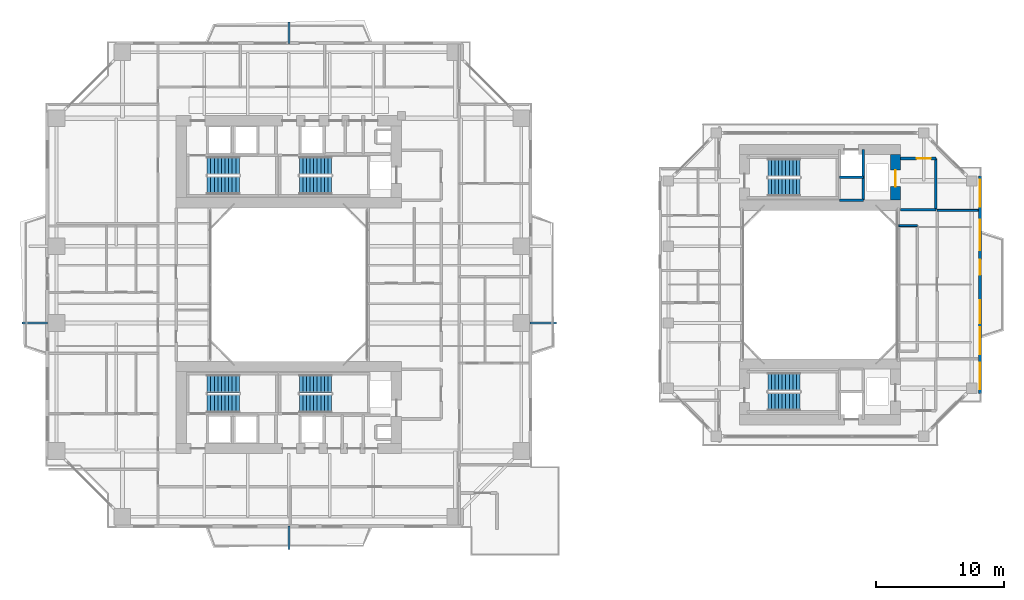
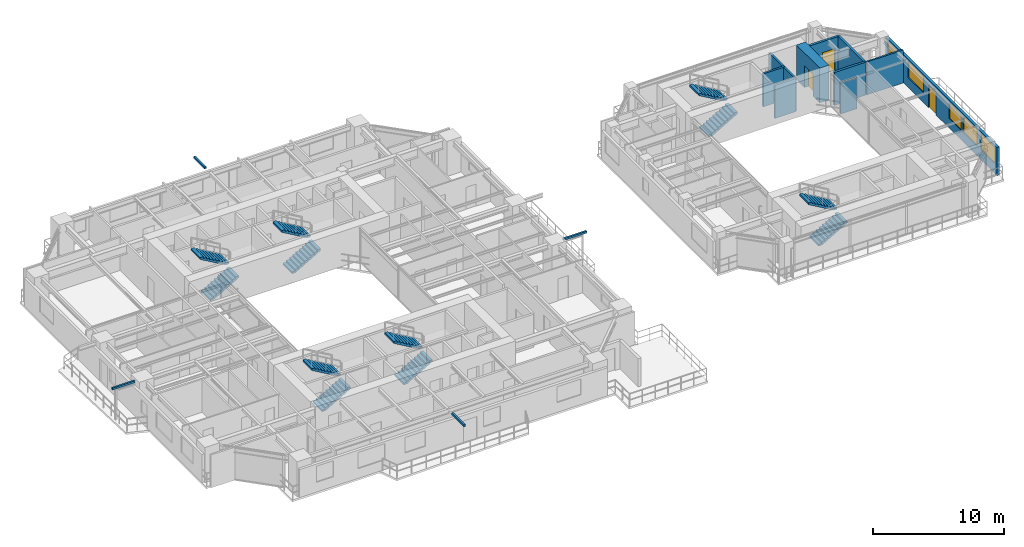
# One storey, part 19 of 23: 12 stair flights, 10 walls, 5 windows, 4 discrete accessories, 3 doors, 8 openings, 6 elements without a shape of their own.
"""IFC4 building model written with IfcOpenShell, lengths in metres."""

from ifc_helpers import new_model, si_unit, direction, frame, frame_2d, origin, origin_2d, place, context, subcontext, project, spatial, polyline, rectangle, outline, extrude, source, transform, mapped, material, layer, layer_set, type_object, element, fill, aggregate, save


model = new_model("IFC4")

# Units and contexts
model_context = context("Model", 3, precision=1e-05, world=origin(), true_north=direction((0.0, 1.0)))
body_context = subcontext(model_context, "Body", "Model", "MODEL_VIEW")
ifc_project = project(units=[si_unit("LENGTHUNIT", "METRE"), si_unit("AREAUNIT", "SQUARE_METRE"), si_unit("VOLUMEUNIT", "CUBIC_METRE"), si_unit("PLANEANGLEUNIT", "RADIAN"), si_unit("MASSUNIT", "GRAM", prefix="KILO"), si_unit("THERMODYNAMICTEMPERATUREUNIT", "KELVIN"), si_unit("POWERUNIT", "WATT")], contexts=[model_context])

# Site, building, storey
site_placement = place(None, origin())
site = spatial("IfcSite", under=ifc_project, at=site_placement, CompositionType="ELEMENT")
building_placement = place(site_placement, origin())
building = spatial("IfcBuilding", under=site, at=building_placement, Name="Qiaomeng Ring Towers", CompositionType="ELEMENT")
storey_placement = place(building_placement, frame((0.0, 0.0, 73.0)))
storey = spatial("IfcBuildingStorey", under=building, at=storey_placement, Name="L20", CompositionType="ELEMENT", Elevation=73.0)

# Wall, openings, windows, door
ifc_material_1 = material(Name="Precast concrete C40", Category="concrete")
ifc_layer_1 = layer(ifc_material_1, 0.219970703125, Name="Precast concrete C40")
ifc_layer_set_1 = layer_set([ifc_layer_1], Name="Precast concrete C40")
wall_type_1 = type_object("IfcWallType", Name="ARC-WL-EW2", PredefinedType="STANDARD", material=ifc_layer_set_1)
wall_1_placement = place(storey_placement, frame((72.989990234375, 14.5, 0.0), z_axis=(0.0, 0.0, 1.0), x_axis=(0.0, 1.0, 0.0)))
wall_1 = element("IfcWall", 1, at=wall_1_placement, inside=storey, type_object=wall_type_1, Name="L20 Companion East Wall", PredefinedType="STANDARD", context=body_context, shape_type="SweptSolid", body=[
    extrude(rectangle(XDim=17.0, YDim=0.219970703125, at=frame_2d((8.5, 0.0))), origin(), (0.0, 0.0, 1.0), 2.610107421875),
])
opening_1_placement = place(wall_1_placement, frame((9.25, 0.0, 0.0)))
opening_1 = element("IfcOpeningElement", 2, at=opening_1_placement, cuts=wall_1, Name="Opening BD1", PredefinedType="OPENING", context=body_context, shape_type="SweptSolid", body=[
    extrude(rectangle(XDim=1.199951171875, YDim=2.10009765625, at=frame_2d((0.60009765625, 1.050048828125))), frame((0.0, 0.119873046875, 0.0), z_axis=(0.0, -1.0, 0.0), x_axis=(1.0, 0.0, 0.0)), (0.0, 0.0, 1.0), 0.239990234375),
])
opening_2_placement = place(wall_1_placement, frame((0.3076171875, 0.0, 0.89990234375)))
opening_2 = element("IfcOpeningElement", 3, at=opening_2_placement, cuts=wall_1, Name="Opening WN4", PredefinedType="OPENING", context=body_context, shape_type="SweptSolid", body=[
    extrude(rectangle(XDim=2.10009765625, YDim=1.5, at=frame_2d((1.050048828125, 0.75))), frame((0.0, 0.119873046875, 0.0), z_axis=(0.0, -1.0, 0.0), x_axis=(1.0, 0.0, 0.0)), (0.0, 0.0, 1.0), 0.239990234375),
])
opening_3_placement = place(wall_1_placement, frame((5.47509765625, 0.0, 0.89990234375)))
opening_3 = element("IfcOpeningElement", 4, at=opening_3_placement, cuts=wall_1, Name="Opening WN1", PredefinedType="OPENING", context=body_context, shape_type="SweptSolid", body=[
    extrude(rectangle(XDim=1.800048828125, YDim=1.449951171875, at=frame_2d((0.89990234375, 0.72509765625))), frame((0.0, 0.119873046875, 0.0), z_axis=(0.0, -1.0, 0.0), x_axis=(1.0, 0.0, 0.0)), (0.0, 0.0, 1.0), 0.239990234375),
])
opening_4_placement = place(wall_1_placement, frame((14.592529296875, 0.0, 0.89990234375)))
opening_4 = element("IfcOpeningElement", 5, at=opening_4_placement, cuts=wall_1, Name="Opening WN4", PredefinedType="OPENING", context=body_context, shape_type="SweptSolid", body=[
    extrude(rectangle(XDim=2.10009765625, YDim=1.5, at=frame_2d((1.050048828125, 0.75))), frame((0.0, 0.119873046875, 0.0), z_axis=(0.0, -1.0, 0.0), x_axis=(1.0, 0.0, 0.0)), (0.0, 0.0, 1.0), 0.239990234375),
])
opening_5_placement = place(wall_1_placement, frame((3.054931640625, 0.0, 0.89990234375)))
opening_5 = element("IfcOpeningElement", 6, at=opening_5_placement, cuts=wall_1, Name="Opening WN4", PredefinedType="OPENING", context=body_context, shape_type="SweptSolid", body=[
    extrude(rectangle(XDim=2.10009765625, YDim=1.5, at=frame_2d((1.050048828125, 0.75))), frame((0.0, 0.119873046875, 0.0), z_axis=(0.0, -1.0, 0.0), x_axis=(1.0, 0.0, 0.0)), (0.0, 0.0, 1.0), 0.239990234375),
])
opening_6_placement = place(wall_1_placement, frame((11.16748046875, 0.0, 0.89990234375)))
opening_6 = element("IfcOpeningElement", 7, at=opening_6_placement, cuts=wall_1, Name="Opening WN6", PredefinedType="OPENING", context=body_context, shape_type="SweptSolid", body=[
    extrude(rectangle(XDim=2.39990234375, YDim=1.5, at=frame_2d((1.199951171875, 0.75))), frame((0.0, 0.119873046875, 0.0), z_axis=(0.0, -1.0, 0.0), x_axis=(1.0, 0.0, 0.0)), (0.0, 0.0, 1.0), 0.239990234375),
])
ifc_material_2 = material(Name="Low-E dark-grey laminated double glazing", Category="glass")
window_type_1 = type_object("IfcWindowType", Name="ARC-WN-4", PartitioningType="TRIPLE_PANEL_VERTICAL", PredefinedType="WINDOW", material=ifc_material_2)
shared_shape_1 = source(origin(), body_context, "Body", "SweptSolid", [
    extrude(rectangle(XDim=2.10009765625, YDim=1.5, at=frame_2d((1.050048828125, 0.75))), frame((0.0, 0.030029296875, 0.0), z_axis=(0.0, -1.0, 0.0), x_axis=(1.0, 0.0, 0.0)), (0.0, 0.0, 1.0), 0.06005859375),
])
window_1_placement = place(opening_2_placement, origin())
window_1 = element("IfcWindow", 8, at=window_1_placement, inside=storey, type_object=window_type_1, Name="L20 Exterior Window WN6", OverallHeight=1.5, OverallWidth=2.10009765625, PartitioningType="TRIPLE_PANEL_VERTICAL", PredefinedType="WINDOW", context=body_context, shape_type="MappedRepresentation", body=[
    mapped(shared_shape_1, transform((0.0, 0.0, 0.0), x_axis=(1.0, 0.0, 0.0), y_axis=(0.0, 1.0, 0.0), z_axis=(0.0, 0.0, 1.0), scale=1.0)),
])
fill(opening_2, window_1)
window_2_placement = place(opening_4_placement, origin())
window_2 = element("IfcWindow", 9, at=window_2_placement, inside=storey, type_object=window_type_1, Name="L20 Exterior Window WN4", OverallHeight=1.5, OverallWidth=2.10009765625, PartitioningType="TRIPLE_PANEL_VERTICAL", PredefinedType="WINDOW", context=body_context, shape_type="MappedRepresentation", body=[
    mapped(shared_shape_1, transform((0.0, 0.0, 0.0), x_axis=(1.0, 0.0, 0.0), y_axis=(0.0, 1.0, 0.0), z_axis=(0.0, 0.0, 1.0), scale=1.0)),
])
fill(opening_4, window_2)
window_3_placement = place(opening_5_placement, origin())
window_3 = element("IfcWindow", 10, at=window_3_placement, inside=storey, type_object=window_type_1, Name="L20 Exterior Window WN4", OverallHeight=1.5, OverallWidth=2.10009765625, PartitioningType="TRIPLE_PANEL_VERTICAL", PredefinedType="WINDOW", context=body_context, shape_type="MappedRepresentation", body=[
    mapped(shared_shape_1, transform((0.0, 0.0, 0.0), x_axis=(1.0, 0.0, 0.0), y_axis=(0.0, 1.0, 0.0), z_axis=(0.0, 0.0, 1.0), scale=1.0)),
])
fill(opening_5, window_3)
window_type_2 = type_object("IfcWindowType", Name="ARC-WN-1", PartitioningType="DOUBLE_PANEL_VERTICAL", PredefinedType="WINDOW", material=ifc_material_2)
shared_shape_2 = source(origin(), body_context, "Body", "SweptSolid", [
    extrude(rectangle(XDim=1.800048828125, YDim=1.449951171875, at=frame_2d((0.89990234375, 0.72509765625))), frame((0.0, 0.030029296875, 0.0), z_axis=(0.0, -1.0, 0.0), x_axis=(1.0, 0.0, 0.0)), (0.0, 0.0, 1.0), 0.06005859375),
])
window_4_placement = place(opening_3_placement, origin())
window_4 = element("IfcWindow", 11, at=window_4_placement, inside=storey, type_object=window_type_2, Name="L20 Exterior Window WN1", OverallHeight=1.449951171875, OverallWidth=1.800048828125, PartitioningType="DOUBLE_PANEL_VERTICAL", PredefinedType="WINDOW", context=body_context, shape_type="MappedRepresentation", body=[
    mapped(shared_shape_2, transform((0.0, 0.0, 0.0), x_axis=(1.0, 0.0, 0.0), y_axis=(0.0, 1.0, 0.0), z_axis=(0.0, 0.0, 1.0), scale=1.0)),
])
fill(opening_3, window_4)
door_type_1 = type_object("IfcDoorType", Name="ARC-DR-BD1", OperationType="NOTDEFINED", PredefinedType="DOOR", material=ifc_material_2)
shared_shape_3 = source(origin(), body_context, "Body", "SweptSolid", [
    extrude(rectangle(XDim=1.199951171875, YDim=2.10009765625, at=frame_2d((0.60009765625, 1.050048828125))), frame((0.0, 0.02490234375, 0.0), z_axis=(0.0, -1.0, 0.0), x_axis=(1.0, 0.0, 0.0)), (0.0, 0.0, 1.0), 0.050048828125),
])
door_1_placement = place(opening_1_placement, origin())
door_1 = element("IfcDoor", 12, at=door_1_placement, inside=storey, type_object=door_type_1, Name="L20 Companion East Balcony Door", OperationType="SINGLE_SWING_LEFT", OverallHeight=2.10009765625, OverallWidth=1.199951171875, PredefinedType="DOOR", context=body_context, shape_type="MappedRepresentation", body=[
    mapped(shared_shape_3, transform((0.0, 0.0, 0.0), x_axis=(1.0, 0.0, 0.0), y_axis=(0.0, 1.0, 0.0), z_axis=(0.0, 0.0, 1.0), scale=1.0)),
])
fill(opening_1, door_1)
window_type_3 = type_object("IfcWindowType", Name="ARC-WN-6", PartitioningType="TRIPLE_PANEL_VERTICAL", PredefinedType="WINDOW", material=ifc_material_2)
shared_shape_4 = source(origin(), body_context, "Body", "SweptSolid", [
    extrude(rectangle(XDim=2.39990234375, YDim=1.5, at=frame_2d((1.199951171875, 0.75))), frame((0.0, 0.030029296875, 0.0), z_axis=(0.0, -1.0, 0.0), x_axis=(1.0, 0.0, 0.0)), (0.0, 0.0, 1.0), 0.06005859375),
])
window_5_placement = place(opening_6_placement, origin())
window_5 = element("IfcWindow", 13, at=window_5_placement, inside=storey, type_object=window_type_3, Name="L20 Exterior Window WN6", OverallHeight=1.5, OverallWidth=2.39990234375, PartitioningType="TRIPLE_PANEL_VERTICAL", PredefinedType="WINDOW", context=body_context, shape_type="MappedRepresentation", body=[
    mapped(shared_shape_4, transform((0.0, 0.0, 0.0), x_axis=(1.0, 0.0, 0.0), y_axis=(0.0, 1.0, 0.0), z_axis=(0.0, 0.0, 1.0), scale=1.0)),
])
fill(opening_6, window_5)

# Walls
ifc_material_3 = material(Name="Autoclaved aerated concrete block", Category="concrete")
ifc_layer_2 = layer(ifc_material_3, 0.199951171875, Name="Autoclaved aerated concrete block")
ifc_layer_set_2 = layer_set([ifc_layer_2], Name="Autoclaved aerated concrete block")
wall_type_2 = type_object("IfcWallType", Name="ARC-WL-PW1", PredefinedType="PARTITIONING", material=ifc_layer_set_2)
wall_2_placement = place(storey_placement, frame((66.800048828125, 28.85009765625, 0.0), z_axis=(0.0, 0.0, 1.0), x_axis=(1.0, 0.0, 0.0)))
element("IfcWall", 14, at=wall_2_placement, inside=storey, type_object=wall_type_2, Name="L20 Interior Wall PW1", PredefinedType="PARTITIONING", context=body_context, shape_type="SweptSolid", body=[
    extrude(rectangle(XDim=2.75, YDim=0.199951171875, at=frame_2d((1.375, 0.0))), origin(), (0.0, 0.0, 1.0), 3.070068359375),
])
wall_3_placement = place(storey_placement, frame((69.550048828125, 28.85009765625, 0.0), z_axis=(0.0, 0.0, 1.0), x_axis=(0.0, 1.0, 0.0)))
element("IfcWall", 15, at=wall_3_placement, inside=storey, type_object=wall_type_2, Name="L20 Interior Wall PW1", PredefinedType="PARTITIONING", context=body_context, shape_type="SweptSolid", body=[
    extrude(rectangle(XDim=4.0, YDim=0.199951171875, at=frame_2d((2.0, 0.0))), origin(), (0.0, 0.0, 1.0), 3.070068359375),
])

# Wall, opening, door
wall_4_placement = place(storey_placement, frame((66.800048828125, 32.85009765625, 0.0), z_axis=(0.0, 0.0, 1.0), x_axis=(1.0, 0.0, 0.0)))
wall_4 = element("IfcWall", 16, at=wall_4_placement, inside=storey, type_object=wall_type_2, Name="L20 Interior Wall PW1", PredefinedType="PARTITIONING", context=body_context, shape_type="SweptSolid", body=[
    extrude(rectangle(XDim=2.75, YDim=0.199951171875, at=frame_2d((1.375, 0.0))), origin(), (0.0, 0.0, 1.0), 3.070068359375),
])
opening_7_placement = place(wall_4_placement, frame((1.25, 0.0, 0.0)))
opening_7 = element("IfcOpeningElement", 17, at=opening_7_placement, cuts=wall_4, Name="Opening FD3", PredefinedType="OPENING", context=body_context, shape_type="SweptSolid", body=[
    extrude(rectangle(XDim=1.10009765625, YDim=2.050048828125, at=frame_2d((0.550048828125, 1.02490234375))), frame((0.0, 0.10986328125, 0.0), z_axis=(0.0, -1.0, 0.0), x_axis=(1.0, 0.0, 0.0)), (0.0, 0.0, 1.0), 0.219970703125),
])
ifc_material_4 = material(Name="Galvanised steel", Category="steel")
door_type_2 = type_object("IfcDoorType", Name="ARC-DR-FD3", OperationType="NOTDEFINED", PredefinedType="DOOR", material=ifc_material_4)
shared_shape_5 = source(origin(), body_context, "Body", "SweptSolid", [
    extrude(rectangle(XDim=1.10009765625, YDim=2.050048828125, at=frame_2d((0.550048828125, 1.02490234375))), frame((0.0, 0.02490234375, 0.0), z_axis=(0.0, -1.0, 0.0), x_axis=(1.0, 0.0, 0.0)), (0.0, 0.0, 1.0), 0.050048828125),
])
door_2_placement = place(opening_7_placement, origin())
door_2 = element("IfcDoor", 18, at=door_2_placement, inside=storey, type_object=door_type_2, Name="L20 Door FD3", OperationType="SINGLE_SWING_LEFT", OverallHeight=2.050048828125, OverallWidth=1.10009765625, PredefinedType="DOOR", context=body_context, shape_type="MappedRepresentation", body=[
    mapped(shared_shape_5, transform((0.0, 0.0, 0.0), x_axis=(1.0, 0.0, 0.0), y_axis=(0.0, 1.0, 0.0), z_axis=(0.0, 0.0, 1.0), scale=1.0)),
])
fill(opening_7, door_2)

# Walls
ifc_material_5 = material(Name="Gypsum fireboard steel-stud partition", Category="steel")
ifc_layer_3 = layer(ifc_material_5, 0.14990234375, Name="Gypsum fireboard steel-stud partition")
ifc_layer_set_3 = layer_set([ifc_layer_3], Name="Gypsum fireboard steel-stud partition")
wall_type_3 = type_object("IfcWallType", Name="ARC-WL-PW3", PredefinedType="PARTITIONING", material=ifc_layer_set_3)
wall_5_placement = place(storey_placement, frame((69.64990234375, 28.800048828125, 0.0), z_axis=(0.0, 0.0, 1.0), x_axis=(1.0, 0.0, 0.0)))
element("IfcWall", 19, at=wall_5_placement, inside=storey, type_object=wall_type_3, Name="L20 Interior Wall PW3", PredefinedType="PARTITIONING", context=body_context, shape_type="SweptSolid", body=[
    extrude(rectangle(XDim=3.2001953125, YDim=0.14990234375, at=frame_2d((1.60009765625, 0.0))), origin(), (0.0, 0.0, 1.0), 3.070068359375),
])
wall_6_placement = place(storey_placement, frame((66.64990234375, 27.60009765625, 0.0), z_axis=(0.0, 0.0, 1.0), x_axis=(1.0, 0.0, 0.0)))
element("IfcWall", 20, at=wall_6_placement, inside=storey, type_object=wall_type_3, Name="L20 Interior Wall PW3", PredefinedType="PARTITIONING", context=body_context, shape_type="SweptSolid", body=[
    extrude(rectangle(XDim=1.4501953125, YDim=0.14990234375, at=frame_2d((0.72509765625, 0.0))), origin(), (0.0, 0.0, 1.0), 2.864990234375),
])
ifc_material_6 = material(Name="Concrete C40", Category="concrete")
ifc_layer_4 = layer(ifc_material_6, 0.199951171875, Name="Concrete C40")
ifc_layer_set_4 = layer_set([ifc_layer_4], Name="Concrete C40")
wall_type_4 = type_object("IfcWallType", Name="STR-WL-STSHAFT", PredefinedType="SHEAR", material=ifc_layer_set_4)
wall_7_placement = place(storey_placement, frame((63.8798828125, 29.60009765625, 0.0), z_axis=(0.0, 0.0, 1.0), x_axis=(0.0, 1.0, 0.0)))
element("IfcWall", 21, at=wall_7_placement, inside=storey, type_object=wall_type_4, Name="L20 Companion Lift Shaft East Wall N", PredefinedType="SHEAR", context=body_context, shape_type="SweptSolid", body=[
    extrude(rectangle(XDim=3.949951171875, YDim=0.179931640625, at=frame_2d((1.97509765625, 0.0))), origin(), (0.0, 0.0, 1.0), 3.070068359375),
])
for number, where, z_axis, x_axis, name in (
    (22, (62.02001953125, 31.3798828125, 0.0), (0.0, 0.0, 1.0), (1.0, 0.0, 0.0), "L20 Companion Lift Shaft Divider Wall N"),
    (23, (62.02001953125, 29.60009765625, 0.0), (0.0, 0.0, 1.0), (1.0, 0.0, 0.0), "L20 Companion Riser Shaft Back Wall N"),
):
    element("IfcWall", number, at=place(storey_placement, frame(where, z_axis=z_axis, x_axis=x_axis)), inside=storey, type_object=wall_type_4, Name=name, PredefinedType="SHEAR", context=body_context, shape_type="SweptSolid", body=[
        extrude(rectangle(XDim=1.85986328125, YDim=0.179931640625, at=frame_2d((0.929931640625, 0.0))), origin(), (0.0, 0.0, 1.0), 3.070068359375),
    ])

# Wall, opening, door
ifc_material_7 = material(Name="Concrete C60", Category="concrete")
ifc_layer_5 = layer(ifc_material_7, 0.800048828125, Name="Concrete C60")
ifc_layer_set_5 = layer_set([ifc_layer_5], Name="Concrete C60")
wall_type_5 = type_object("IfcWallType", Name="STR-WL-SW1", PredefinedType="SHEAR", material=ifc_layer_set_5)
wall_8_placement = place(storey_placement, frame((66.39990234375, 29.60009765625, 0.0), z_axis=(0.0, 0.0, 1.0), x_axis=(0.0, 1.0, 0.0)))
wall_8 = element("IfcWall", 24, at=wall_8_placement, inside=storey, type_object=wall_type_5, Name="L20 T2NC east core shear wall", PredefinedType="SHEAR", context=body_context, shape_type="SweptSolid", body=[
    extrude(rectangle(XDim=3.5498046875, YDim=0.800048828125, at=frame_2d((1.77490234375, 0.0))), origin(), (0.0, 0.0, 1.0), 3.25),
])
opening_8_placement = place(wall_8_placement, frame((1.050048828125, 0.0, 0.0)))
opening_8 = element("IfcOpeningElement", 25, at=opening_8_placement, cuts=wall_8, Name="Opening LD2", PredefinedType="OPENING", context=body_context, shape_type="SweptSolid", body=[
    extrude(rectangle(XDim=1.300048828125, YDim=2.050048828125, at=frame_2d((0.64990234375, 1.02490234375))), frame((0.0, 0.409912109375, 0.0), z_axis=(0.0, -1.0, 0.0), x_axis=(1.0, 0.0, 0.0)), (0.0, 0.0, 1.0), 0.820068359375),
])
ifc_material_8 = material(Name="Stainless steel 316", Category="steel")
door_type_3 = type_object("IfcDoorType", Name="ARC-DR-LD2", OperationType="NOTDEFINED", PredefinedType="DOOR", material=ifc_material_8)
shared_shape_6 = source(origin(), body_context, "Body", "SweptSolid", [
    extrude(rectangle(XDim=1.300048828125, YDim=2.050048828125, at=frame_2d((0.64990234375, 1.02490234375))), frame((0.0, 0.02490234375, 0.0), z_axis=(0.0, -1.0, 0.0), x_axis=(1.0, 0.0, 0.0)), (0.0, 0.0, 1.0), 0.050048828125),
])
door_3_placement = place(opening_8_placement, origin())
door_3 = element("IfcDoor", 26, at=door_3_placement, inside=storey, type_object=door_type_3, Name="L20 Firefighting Lift FL3 Landing Door", OperationType="SLIDING_TO_LEFT", OverallHeight=2.050048828125, OverallWidth=1.300048828125, PredefinedType="DOOR", context=body_context, shape_type="MappedRepresentation", body=[
    mapped(shared_shape_6, transform((0.0, 0.0, 0.0), x_axis=(1.0, 0.0, 0.0), y_axis=(0.0, 1.0, 0.0), z_axis=(0.0, 0.0, 1.0), scale=1.0)),
])
fill(opening_8, door_3)

# Stair, stair flights
stair_type = type_object("IfcStairType", Name="ARC-ST-325", PredefinedType="HALF_TURN_STAIR", material=ifc_material_1)
stair_1_placement = place(storey_placement, origin())
stair_1 = element("IfcStair", 27, at=stair_1_placement, inside=storey, type_object=stair_type, Name="L20 Tower 1 North Stair 1", PredefinedType="HALF_TURN_STAIR")
stair_flight_type = type_object("IfcStairFlightType", Name="ARC-ST-325-FL", PredefinedType="STRAIGHT", material=ifc_material_1)
shared_shape_7 = source(origin(), body_context, "Body", "SweptSolid", [
    extrude(outline(polyline([(0.0, 0.0), (0.0, 0.16259765625), (0.280029296875, 0.16259765625), (0.280029296875, 0.324951171875), (0.56005859375, 0.324951171875), (0.56005859375, 0.487548828125), (0.840087890625, 0.487548828125), (0.840087890625, 0.64990234375), (1.1201171875, 0.64990234375), (1.1201171875, 0.8125), (1.39990234375, 0.8125), (1.39990234375, 0.97509765625), (1.679931640625, 0.97509765625), (1.679931640625, 1.137451171875), (1.9599609375, 1.137451171875), (1.9599609375, 1.300048828125), (2.239990234375, 1.300048828125), (2.239990234375, 1.46240234375), (2.52001953125, 1.46240234375), (2.52001953125, 1.625), (2.52001953125, 1.2890625), (0.298583984375, 0.0), (0.0, 0.0)])), frame((0.0, 0.699951171875, 0.0), z_axis=(0.0, -1.0, 0.0), x_axis=(1.0, 0.0, 0.0)), (0.0, 0.0, 1.0), 1.39990234375),
])
stair_flight_1_placement = place(storey_placement, frame((12.6201171875, 30.75, 0.0), z_axis=(0.0, 0.0, 1.0), x_axis=(1.0, 0.0, 0.0)))
stair_flight_1 = element("IfcStairFlight", 28, at=stair_flight_1_placement, type_object=stair_flight_type, Name="ST1 flight 1", NumberOfRisers=10, NumberOfTreads=9, PredefinedType="STRAIGHT", RiserHeight=0.1625, TreadLength=0.28, context=body_context, shape_type="MappedRepresentation", body=[
    mapped(shared_shape_7, transform((0.0, 0.0, 0.0), x_axis=(1.0, 0.0, 0.0), y_axis=(0.0, 1.0, 0.0), z_axis=(0.0, 0.0, 1.0), scale=1.0)),
])
stair_flight_2_placement = place(storey_placement, frame((15.139892578125, 32.2900390625, 1.625), z_axis=(0.0, 0.0, 1.0), x_axis=(-1.0, 0.0, 0.0)))
stair_flight_2 = element("IfcStairFlight", 29, at=stair_flight_2_placement, type_object=stair_flight_type, Name="ST1 flight 2", NumberOfRisers=10, NumberOfTreads=9, PredefinedType="STRAIGHT", RiserHeight=0.1625, TreadLength=0.28, context=body_context, shape_type="MappedRepresentation", body=[
    mapped(shared_shape_7, transform((0.0, 0.0, 0.0), x_axis=(1.0, 0.0, 0.0), y_axis=(0.0, 1.0, 0.0), z_axis=(0.0, 0.0, 1.0), scale=1.0)),
])
aggregate(stair_1, [stair_flight_1, stair_flight_2])

stair_2_placement = place(storey_placement, origin())
stair_2 = element("IfcStair", 30, at=stair_2_placement, inside=storey, type_object=stair_type, Name="L20 Tower 1 North Stair 2", PredefinedType="HALF_TURN_STAIR")
stair_flight_3_placement = place(storey_placement, frame((19.820068359375, 30.75, 0.0), z_axis=(0.0, 0.0, 1.0), x_axis=(1.0, 0.0, 0.0)))
stair_flight_3 = element("IfcStairFlight", 31, at=stair_flight_3_placement, type_object=stair_flight_type, Name="ST2 flight 1", NumberOfRisers=10, NumberOfTreads=9, PredefinedType="STRAIGHT", RiserHeight=0.1625, TreadLength=0.28, context=body_context, shape_type="MappedRepresentation", body=[
    mapped(shared_shape_7, transform((0.0, 0.0, 0.0), x_axis=(1.0, 0.0, 0.0), y_axis=(0.0, 1.0, 0.0), z_axis=(0.0, 0.0, 1.0), scale=1.0)),
])
stair_flight_4_placement = place(storey_placement, frame((22.340087890625, 32.2900390625, 1.625), z_axis=(0.0, 0.0, 1.0), x_axis=(-1.0, 0.0, 0.0)))
stair_flight_4 = element("IfcStairFlight", 32, at=stair_flight_4_placement, type_object=stair_flight_type, Name="ST2 flight 2", NumberOfRisers=10, NumberOfTreads=9, PredefinedType="STRAIGHT", RiserHeight=0.1625, TreadLength=0.28, context=body_context, shape_type="MappedRepresentation", body=[
    mapped(shared_shape_7, transform((0.0, 0.0, 0.0), x_axis=(1.0, 0.0, 0.0), y_axis=(0.0, 1.0, 0.0), z_axis=(0.0, 0.0, 1.0), scale=1.0)),
])
aggregate(stair_2, [stair_flight_3, stair_flight_4])

stair_3_placement = place(storey_placement, origin())
stair_3 = element("IfcStair", 33, at=stair_3_placement, inside=storey, type_object=stair_type, Name="L20 Tower 1 South Stair 3", PredefinedType="HALF_TURN_STAIR")
stair_flight_5_placement = place(storey_placement, frame((12.6201171875, 13.7099609375, 0.0), z_axis=(0.0, 0.0, 1.0), x_axis=(1.0, 0.0, 0.0)))
stair_flight_5 = element("IfcStairFlight", 34, at=stair_flight_5_placement, type_object=stair_flight_type, Name="ST3 flight 1", NumberOfRisers=10, NumberOfTreads=9, PredefinedType="STRAIGHT", RiserHeight=0.1625, TreadLength=0.28, context=body_context, shape_type="MappedRepresentation", body=[
    mapped(shared_shape_7, transform((0.0, 0.0, 0.0), x_axis=(1.0, 0.0, 0.0), y_axis=(0.0, 1.0, 0.0), z_axis=(0.0, 0.0, 1.0), scale=1.0)),
])
stair_flight_6_placement = place(storey_placement, frame((15.139892578125, 15.25, 1.625), z_axis=(0.0, 0.0, 1.0), x_axis=(-1.0, 0.0, 0.0)))
stair_flight_6 = element("IfcStairFlight", 35, at=stair_flight_6_placement, type_object=stair_flight_type, Name="ST3 flight 2", NumberOfRisers=10, NumberOfTreads=9, PredefinedType="STRAIGHT", RiserHeight=0.1625, TreadLength=0.28, context=body_context, shape_type="MappedRepresentation", body=[
    mapped(shared_shape_7, transform((0.0, 0.0, 0.0), x_axis=(1.0, 0.0, 0.0), y_axis=(0.0, 1.0, 0.0), z_axis=(0.0, 0.0, 1.0), scale=1.0)),
])
aggregate(stair_3, [stair_flight_5, stair_flight_6])

stair_4_placement = place(storey_placement, origin())
stair_4 = element("IfcStair", 36, at=stair_4_placement, inside=storey, type_object=stair_type, Name="L20 Tower 1 South Stair 4", PredefinedType="HALF_TURN_STAIR")
stair_flight_7_placement = place(storey_placement, frame((19.820068359375, 13.7099609375, 0.0), z_axis=(0.0, 0.0, 1.0), x_axis=(1.0, 0.0, 0.0)))
stair_flight_7 = element("IfcStairFlight", 37, at=stair_flight_7_placement, type_object=stair_flight_type, Name="ST4 flight 1", NumberOfRisers=10, NumberOfTreads=9, PredefinedType="STRAIGHT", RiserHeight=0.1625, TreadLength=0.28, context=body_context, shape_type="MappedRepresentation", body=[
    mapped(shared_shape_7, transform((0.0, 0.0, 0.0), x_axis=(1.0, 0.0, 0.0), y_axis=(0.0, 1.0, 0.0), z_axis=(0.0, 0.0, 1.0), scale=1.0)),
])
stair_flight_8_placement = place(storey_placement, frame((22.340087890625, 15.25, 1.625), z_axis=(0.0, 0.0, 1.0), x_axis=(-1.0, 0.0, 0.0)))
stair_flight_8 = element("IfcStairFlight", 38, at=stair_flight_8_placement, type_object=stair_flight_type, Name="ST4 flight 2", NumberOfRisers=10, NumberOfTreads=9, PredefinedType="STRAIGHT", RiserHeight=0.1625, TreadLength=0.28, context=body_context, shape_type="MappedRepresentation", body=[
    mapped(shared_shape_7, transform((0.0, 0.0, 0.0), x_axis=(1.0, 0.0, 0.0), y_axis=(0.0, 1.0, 0.0), z_axis=(0.0, 0.0, 1.0), scale=1.0)),
])
aggregate(stair_4, [stair_flight_7, stair_flight_8])

stair_5_placement = place(storey_placement, origin())
stair_5 = element("IfcStair", 39, at=stair_5_placement, inside=storey, type_object=stair_type, Name="L20 Companion North Stair 5", PredefinedType="HALF_TURN_STAIR")
stair_flight_9_placement = place(storey_placement, frame((56.419921875, 30.60009765625, 0.0), z_axis=(0.0, 0.0, 1.0), x_axis=(1.0, 0.0, 0.0)))
stair_flight_9 = element("IfcStairFlight", 40, at=stair_flight_9_placement, type_object=stair_flight_type, Name="ST5 flight 1", NumberOfRisers=10, NumberOfTreads=9, PredefinedType="STRAIGHT", RiserHeight=0.1625, TreadLength=0.28, context=body_context, shape_type="MappedRepresentation", body=[
    mapped(shared_shape_7, transform((0.0, 0.0, 0.0), x_axis=(1.0, 0.0, 0.0), y_axis=(0.0, 1.0, 0.0), z_axis=(0.0, 0.0, 1.0), scale=1.0)),
])
stair_flight_10_placement = place(storey_placement, frame((58.93994140625, 32.139892578125, 1.625), z_axis=(0.0, 0.0, 1.0), x_axis=(-1.0, 0.0, 0.0)))
stair_flight_10 = element("IfcStairFlight", 41, at=stair_flight_10_placement, type_object=stair_flight_type, Name="ST5 flight 2", NumberOfRisers=10, NumberOfTreads=9, PredefinedType="STRAIGHT", RiserHeight=0.1625, TreadLength=0.28, context=body_context, shape_type="MappedRepresentation", body=[
    mapped(shared_shape_7, transform((0.0, 0.0, 0.0), x_axis=(1.0, 0.0, 0.0), y_axis=(0.0, 1.0, 0.0), z_axis=(0.0, 0.0, 1.0), scale=1.0)),
])
aggregate(stair_5, [stair_flight_9, stair_flight_10])

stair_6_placement = place(storey_placement, origin())
stair_6 = element("IfcStair", 42, at=stair_6_placement, inside=storey, type_object=stair_type, Name="L20 Companion South Stair 6", PredefinedType="HALF_TURN_STAIR")
stair_flight_11_placement = place(storey_placement, frame((56.419921875, 13.860107421875, 0.0), z_axis=(0.0, 0.0, 1.0), x_axis=(1.0, 0.0, 0.0)))
stair_flight_11 = element("IfcStairFlight", 43, at=stair_flight_11_placement, type_object=stair_flight_type, Name="ST6 flight 1", NumberOfRisers=10, NumberOfTreads=9, PredefinedType="STRAIGHT", RiserHeight=0.1625, TreadLength=0.28, context=body_context, shape_type="MappedRepresentation", body=[
    mapped(shared_shape_7, transform((0.0, 0.0, 0.0), x_axis=(1.0, 0.0, 0.0), y_axis=(0.0, 1.0, 0.0), z_axis=(0.0, 0.0, 1.0), scale=1.0)),
])
stair_flight_12_placement = place(storey_placement, frame((58.93994140625, 15.39990234375, 1.625), z_axis=(0.0, 0.0, 1.0), x_axis=(-1.0, 0.0, 0.0)))
stair_flight_12 = element("IfcStairFlight", 44, at=stair_flight_12_placement, type_object=stair_flight_type, Name="ST6 flight 2", NumberOfRisers=10, NumberOfTreads=9, PredefinedType="STRAIGHT", RiserHeight=0.1625, TreadLength=0.28, context=body_context, shape_type="MappedRepresentation", body=[
    mapped(shared_shape_7, transform((0.0, 0.0, 0.0), x_axis=(1.0, 0.0, 0.0), y_axis=(0.0, 1.0, 0.0), z_axis=(0.0, 0.0, 1.0), scale=1.0)),
])
aggregate(stair_6, [stair_flight_11, stair_flight_12])

# Discrete accessories
discrete_accessory_type = type_object("IfcDiscreteAccessoryType", Name="ARC-ACC-BRACKET", PredefinedType="BRACKET", material=ifc_material_8)
shared_shape_8 = source(origin(), body_context, "Body", "SweptSolid", [
    extrude(rectangle(XDim=0.159912109375, YDim=1.85009765625, at=origin_2d()), origin(), (0.0, 0.0, 1.0), 0.179931640625),
])
discrete_accessory_1_placement = place(storey_placement, frame((19.0, 3.22509765625, 2.89990234375), z_axis=(0.0, 0.0, 1.0), x_axis=(1.0, 0.0, 0.0)))
element("IfcDiscreteAccessory", 45, at=discrete_accessory_1_placement, inside=storey, type_object=discrete_accessory_type, Name="L20 Stainless Outer-Skin Tie Bracket S", PredefinedType="BRACKET", context=body_context, shape_type="MappedRepresentation", body=[
    mapped(shared_shape_8, transform((0.0, 0.0, 0.0), x_axis=(1.0, 0.0, 0.0), y_axis=(0.0, 1.0, 0.0), z_axis=(0.0, 0.0, 1.0), scale=1.0)),
])
shared_shape_9 = source(origin(), body_context, "Body", "SweptSolid", [
    extrude(rectangle(XDim=0.159912109375, YDim=1.669921875, at=origin_2d()), origin(), (0.0, 0.0, 1.0), 0.179931640625),
])
discrete_accessory_2_placement = place(storey_placement, frame((19.0, 42.68505859375, 2.89990234375), z_axis=(0.0, 0.0, 1.0), x_axis=(1.0, 0.0, 0.0)))
element("IfcDiscreteAccessory", 46, at=discrete_accessory_2_placement, inside=storey, type_object=discrete_accessory_type, Name="L20 Stainless Outer-Skin Tie Bracket N", PredefinedType="BRACKET", context=body_context, shape_type="MappedRepresentation", body=[
    mapped(shared_shape_9, transform((0.0, 0.0, 0.0), x_axis=(1.0, 0.0, 0.0), y_axis=(0.0, 1.0, 0.0), z_axis=(0.0, 0.0, 1.0), scale=1.0)),
])
shared_shape_10 = source(origin(), body_context, "Body", "SweptSolid", [
    extrude(rectangle(XDim=2.0, YDim=0.159912109375, at=origin_2d()), origin(), (0.0, 0.0, 1.0), 0.179931640625),
])
discrete_accessory_3_placement = place(storey_placement, frame((-0.85009765625, 20.0, 2.89990234375), z_axis=(0.0, 0.0, 1.0), x_axis=(1.0, 0.0, 0.0)))
element("IfcDiscreteAccessory", 47, at=discrete_accessory_3_placement, inside=storey, type_object=discrete_accessory_type, Name="L20 Stainless Outer-Skin Tie Bracket W", PredefinedType="BRACKET", context=body_context, shape_type="MappedRepresentation", body=[
    mapped(shared_shape_10, transform((0.0, 0.0, 0.0), x_axis=(1.0, 0.0, 0.0), y_axis=(0.0, 1.0, 0.0), z_axis=(0.0, 0.0, 1.0), scale=1.0)),
])
shared_shape_11 = source(origin(), body_context, "Body", "SweptSolid", [
    extrude(rectangle(XDim=2.070068359375, YDim=0.159912109375, at=origin_2d()), origin(), (0.0, 0.0, 1.0), 0.179931640625),
])
discrete_accessory_4_placement = place(storey_placement, frame((38.885009765625, 20.0, 2.89990234375), z_axis=(0.0, 0.0, 1.0), x_axis=(1.0, 0.0, 0.0)))
element("IfcDiscreteAccessory", 48, at=discrete_accessory_4_placement, inside=storey, type_object=discrete_accessory_type, Name="L20 Stainless Outer-Skin Tie Bracket E", PredefinedType="BRACKET", context=body_context, shape_type="MappedRepresentation", body=[
    mapped(shared_shape_11, transform((0.0, 0.0, 0.0), x_axis=(1.0, 0.0, 0.0), y_axis=(0.0, 1.0, 0.0), z_axis=(0.0, 0.0, 1.0), scale=1.0)),
])

save(model, "model.ifc")
